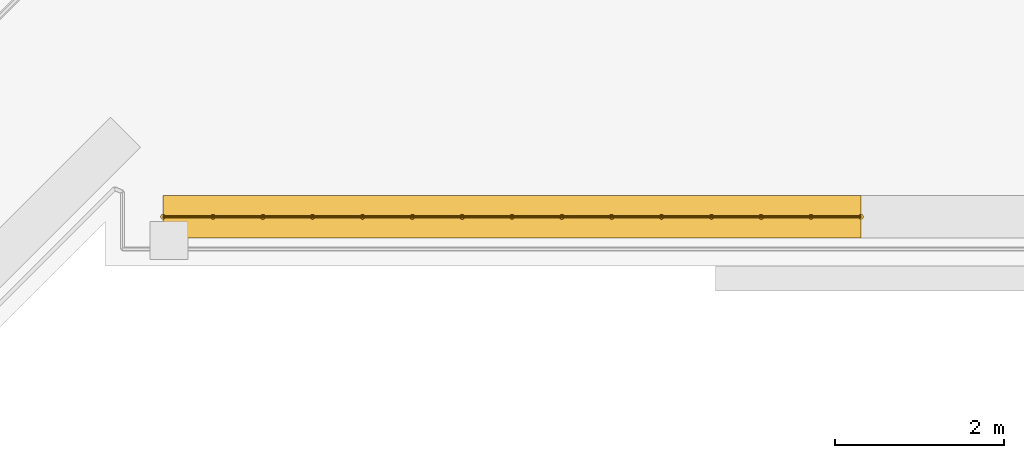
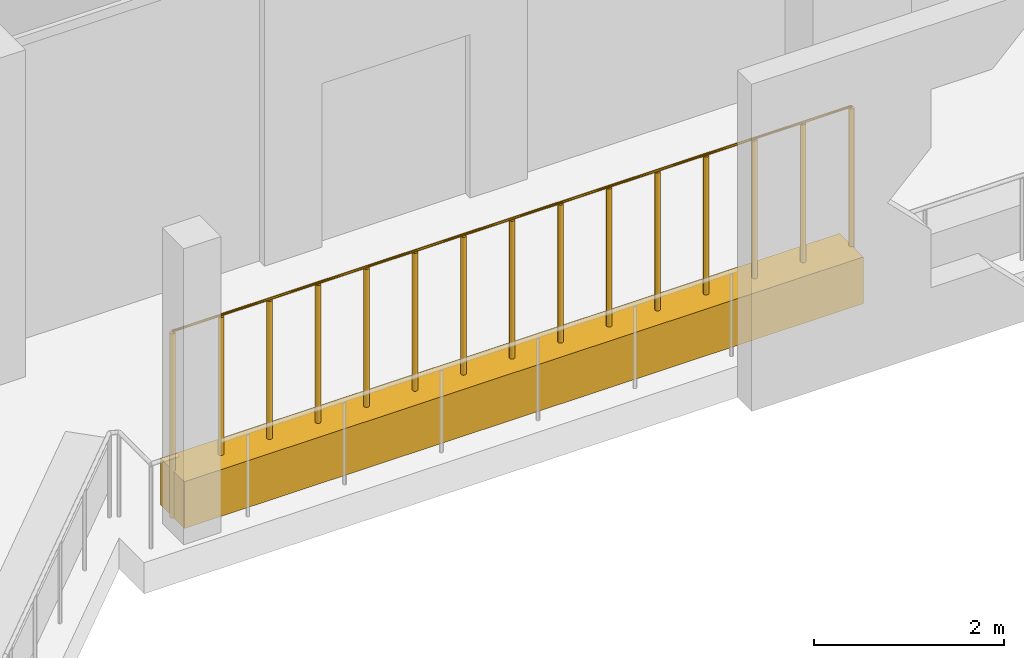
# One storey, part 24 of 28: 1 covering, 1 railing.
"""IFC4 building model written with IfcOpenShell, lengths in metres."""

from ifc_helpers import new_model, si_unit, direction, frame, origin, origin_2d, place, context, subcontext, project, spatial, rectangle, circle, extrude, material, material_profile, profile_set, type_object, element, save


model = new_model("IFC4")

# Units and contexts
model_context = context("Model", 3, precision=1e-05, world=origin(), true_north=direction((0.0, 1.0)))
body_context = subcontext(model_context, "Body", "Model", "MODEL_VIEW")
ifc_project = project(units=[si_unit("LENGTHUNIT", "METRE"), si_unit("AREAUNIT", "SQUARE_METRE"), si_unit("VOLUMEUNIT", "CUBIC_METRE"), si_unit("PLANEANGLEUNIT", "RADIAN"), si_unit("MASSUNIT", "GRAM", prefix="KILO")], contexts=[model_context])

# Site, building, storey
site_placement = place(None, origin())
site = spatial("IfcSite", under=ifc_project, at=site_placement, CompositionType="ELEMENT")
building_placement = place(site_placement, origin())
building = spatial("IfcBuilding", under=site, at=building_placement, Name="Kawkab Arch Medical Tower", CompositionType="ELEMENT")
storey_placement = place(building_placement, frame((0.0, 0.0, 77.0)))
storey = spatial("IfcBuildingStorey", under=building, at=storey_placement, Name="L17", CompositionType="ELEMENT", Elevation=77.0)

# Covering
ifc_material_1 = material(Name="Planting soil in a precast trough", Category="concrete")
ifc_material_profile = material_profile(ifc_material_1, rectangle(XDim=0.5, YDim=0.60009765625, at=origin_2d()), Name="Trough 500x600")
ifc_profile_set = profile_set([ifc_material_profile], Name="Planting soil in a precast trough")
covering_type = type_object("IfcCoveringType", Name="Planter trough 500 x 600", PredefinedType="USERDEFINED", material=ifc_profile_set)
covering_placement = place(storey_placement, frame((40.126953125, -28.820068359375, 0.300048828125), z_axis=(-1.0, 0.0, 0.0), x_axis=(0.0, -1.0, 0.0)))
element("IfcCovering", 1, at=covering_placement, inside=storey, type_object=covering_type, Name="Planter L17.LOG-01-01.41", ObjectType="PLANTER", PredefinedType="USERDEFINED", context=body_context, shape_type="SweptSolid", body=[
    extrude(rectangle(XDim=0.5, YDim=0.60009765625, at=origin_2d()), origin(), (0.0, 0.0, 1.0), 8.2470703125),
])

# Railing
ifc_material_2 = material(Name="Bronze anodised aluminium trellis for climbing plants", Category="aluminium")
railing_type = type_object("IfcRailingType", Name="Planting trellis 2400", PredefinedType="USERDEFINED", material=ifc_material_2)
railing_placement = place(storey_placement, frame((40.126953125, -28.820068359375, 0.0)))
element("IfcRailing", 2, at=railing_placement, inside=storey, type_object=railing_type, Name="Planting trellis L17.LOG-01-01.41", ObjectType="TRELLIS", PredefinedType="USERDEFINED", context=body_context, shape_type="SweptSolid", body=[
    extrude(circle(Radius=0.01513671875, at=origin_2d()), frame((0.0, 0.0, 2.384765625), z_axis=(-1.0, 0.0, 0.0), x_axis=(0.0, -1.0, 0.0)), (0.0, 0.0, 1.0), 8.2470703125),
    extrude(circle(Radius=0.030029296875, at=origin_2d()), origin(), (0.0, 0.0, 1.0), 2.369873046875),
    extrude(circle(Radius=0.030029296875, at=origin_2d()), frame((-0.589111328125, 0.0, 0.0)), (0.0, 0.0, 1.0), 2.369873046875),
    extrude(circle(Radius=0.030029296875, at=origin_2d()), frame((-1.17822265625, 0.0, 0.0)), (0.0, 0.0, 1.0), 2.369873046875),
    extrude(circle(Radius=0.030029296875, at=origin_2d()), frame((-1.767333984375, 0.0, 0.0)), (0.0, 0.0, 1.0), 2.369873046875),
    extrude(circle(Radius=0.030029296875, at=origin_2d()), frame((-2.356201171875, 0.0, 0.0)), (0.0, 0.0, 1.0), 2.369873046875),
    extrude(circle(Radius=0.030029296875, at=origin_2d()), frame((-2.9453125, 0.0, 0.0)), (0.0, 0.0, 1.0), 2.369873046875),
    extrude(circle(Radius=0.030029296875, at=origin_2d()), frame((-3.534423828125, 0.0, 0.0)), (0.0, 0.0, 1.0), 2.369873046875),
    extrude(circle(Radius=0.030029296875, at=origin_2d()), frame((-4.12353515625, 0.0, 0.0)), (0.0, 0.0, 1.0), 2.369873046875),
    extrude(circle(Radius=0.030029296875, at=origin_2d()), frame((-4.712646484375, 0.0, 0.0)), (0.0, 0.0, 1.0), 2.369873046875),
    extrude(circle(Radius=0.030029296875, at=origin_2d()), frame((-5.3017578125, 0.0, 0.0)), (0.0, 0.0, 1.0), 2.369873046875),
    extrude(circle(Radius=0.030029296875, at=origin_2d()), frame((-5.890869140625, 0.0, 0.0)), (0.0, 0.0, 1.0), 2.369873046875),
    extrude(circle(Radius=0.030029296875, at=origin_2d()), frame((-6.479736328125, 0.0, 0.0)), (0.0, 0.0, 1.0), 2.369873046875),
    extrude(circle(Radius=0.030029296875, at=origin_2d()), frame((-7.06884765625, 0.0, 0.0)), (0.0, 0.0, 1.0), 2.369873046875),
    extrude(circle(Radius=0.030029296875, at=origin_2d()), frame((-7.657958984375, 0.0, 0.0)), (0.0, 0.0, 1.0), 2.369873046875),
    extrude(circle(Radius=0.030029296875, at=origin_2d()), frame((-8.2470703125, 0.0, 0.0)), (0.0, 0.0, 1.0), 2.369873046875),
])

save(model, "model.ifc")
